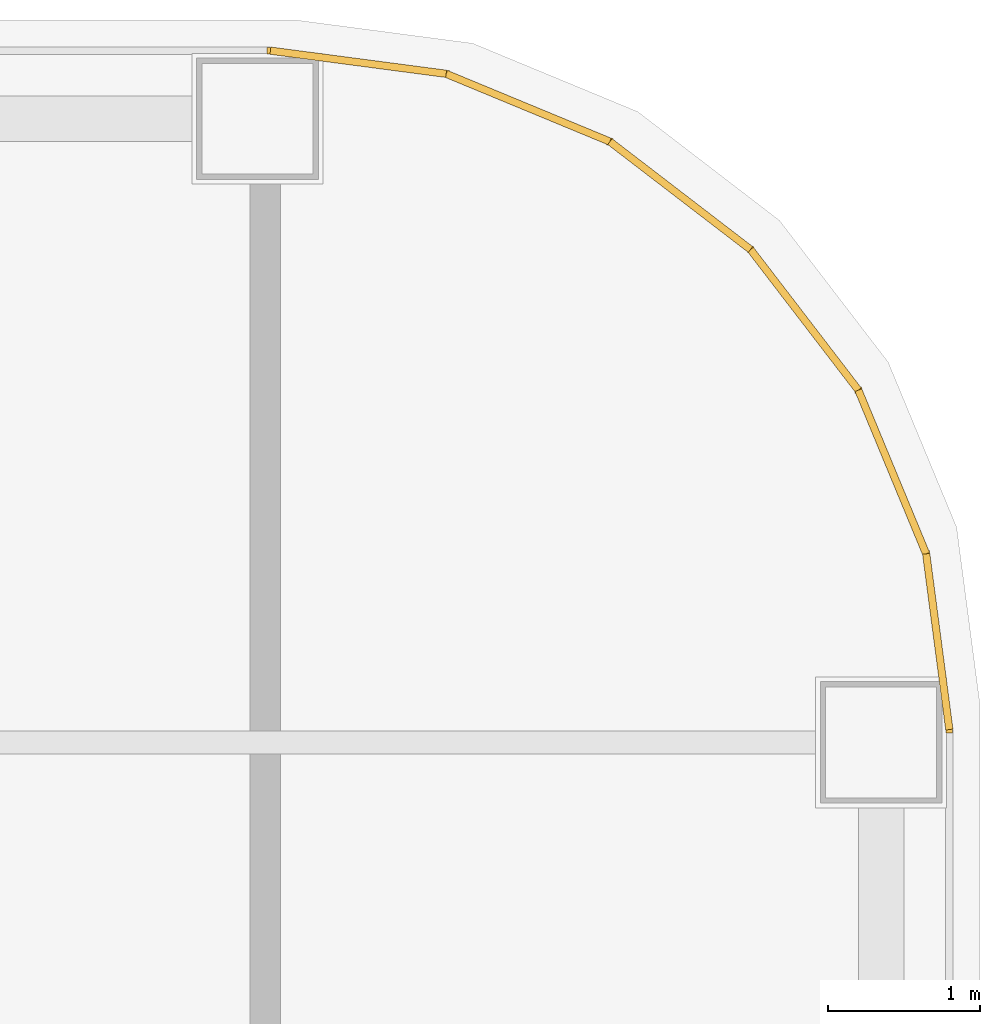
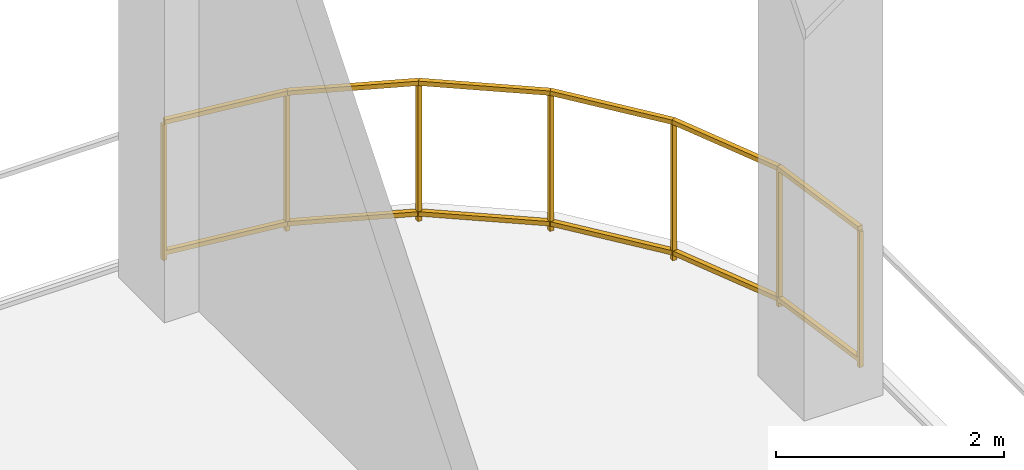
# One storey, part 11 of 11: 6 railings.
"""IFC4 building model written with IfcOpenShell, lengths in metres."""

from ifc_helpers import new_model, si_unit, direction, frame, origin, origin_2d, place, context, subcontext, project, spatial, rectangle, extrude, material, type_object, element, save


model = new_model("IFC4")

# Units and contexts
model_context = context("Model", 3, precision=1e-05, world=origin(), true_north=direction((0.0, 1.0)))
body_context = subcontext(model_context, "Body", "Model", "MODEL_VIEW")
ifc_project = project(units=[si_unit("LENGTHUNIT", "METRE"), si_unit("AREAUNIT", "SQUARE_METRE"), si_unit("VOLUMEUNIT", "CUBIC_METRE"), si_unit("PLANEANGLEUNIT", "RADIAN"), si_unit("MASSUNIT", "GRAM", prefix="KILO")], contexts=[model_context])

# Site, building, storey
site_placement = place(None, origin())
site = spatial("IfcSite", under=ifc_project, at=site_placement, CompositionType="ELEMENT")
building_placement = place(site_placement, origin())
building = spatial("IfcBuilding", under=site, at=building_placement, Name="Khorvyn Point Tower", CompositionType="ELEMENT")
storey_placement = place(building_placement, frame((0.0, 0.0, 77.39990234375)))
storey = spatial("IfcBuildingStorey", under=building, at=storey_placement, Name="L20", CompositionType="ELEMENT", Elevation=77.39990234375)

# Railings
ifc_material = material(Name="Stainless steel 1.4401", Category="steel")
railing_type = type_object("IfcRailingType", Name="School Terrace Anti-Climb Safety Guardrail 1500", PredefinedType="GUARDRAIL", material=ifc_material)
railing_1_placement = place(storey_placement, frame((22.098388671875, 20.534423828125, 0.0)))
element("IfcRailing", 1, at=railing_1_placement, inside=storey, type_object=railing_type, Name="L20 Open Wind-Floor Perimeter Guardrail 08", PredefinedType="GUARDRAIL", context=body_context, shape_type="SweptSolid", body=[
    extrude(rectangle(XDim=0.048095703125, YDim=0.048095703125, at=origin_2d()), frame((0.0, 0.0, 1.47607421875), z_axis=(-0.130530389761, 0.991444308748, 0.0), x_axis=(-0.991444308748, -0.130530389761, 0.0)), (0.0, 0.0, 1.0), 1.165283203125),
    extrude(rectangle(XDim=0.048095703125, YDim=0.048095703125, at=origin_2d()), frame((0.0, 0.0, 0.080078125), z_axis=(-0.130530389761, 0.991444308748, 0.0), x_axis=(-0.991444308748, -0.130530389761, 0.0)), (0.0, 0.0, 1.0), 1.165283203125),
    extrude(rectangle(XDim=0.0419921875, YDim=0.0419921875, at=origin_2d()), origin(), (0.0, 0.0, 1.0), 1.451904296875),
    extrude(rectangle(XDim=0.0419921875, YDim=0.0419921875, at=origin_2d()), frame((-0.152099609375, 1.1552734375, 0.0)), (0.0, 0.0, 1.0), 1.451904296875),
])
railing_2_placement = place(storey_placement, frame((21.9462890625, 21.689697265625, 0.0)))
element("IfcRailing", 2, at=railing_2_placement, inside=storey, type_object=railing_type, Name="L20 Open Wind-Floor Perimeter Guardrail 09", PredefinedType="GUARDRAIL", context=body_context, shape_type="SweptSolid", body=[
    extrude(rectangle(XDim=0.048095703125, YDim=0.048095703125, at=origin_2d()), frame((0.0, 0.0, 1.47607421875), z_axis=(-0.38274032778, 0.923855963606, 0.0), x_axis=(-0.923855963606, -0.38274032778, 0.0)), (0.0, 0.0, 1.0), 1.165283203125),
    extrude(rectangle(XDim=0.048095703125, YDim=0.048095703125, at=origin_2d()), frame((0.0, 0.0, 0.080078125), z_axis=(-0.38274032778, 0.923855963606, 0.0), x_axis=(-0.923855963606, -0.38274032778, 0.0)), (0.0, 0.0, 1.0), 1.165283203125),
    extrude(rectangle(XDim=0.0419921875, YDim=0.0419921875, at=origin_2d()), origin(), (0.0, 0.0, 1.0), 1.451904296875),
    extrude(rectangle(XDim=0.0419921875, YDim=0.0419921875, at=origin_2d()), frame((-0.446044921875, 1.07666015625, 0.0)), (0.0, 0.0, 1.0), 1.451904296875),
])
railing_3_placement = place(storey_placement, frame((21.500244140625, 22.766357421875, 0.0)))
element("IfcRailing", 3, at=railing_3_placement, inside=storey, type_object=railing_type, Name="L20 Open Wind-Floor Perimeter Guardrail 10", PredefinedType="GUARDRAIL", context=body_context, shape_type="SweptSolid", body=[
    extrude(rectangle(XDim=0.048095703125, YDim=0.048095703125, at=origin_2d()), frame((0.0, 0.0, 1.47607421875), z_axis=(-0.608647049612, 0.793441093591, 0.0), x_axis=(-0.793441093591, -0.608647049612, 0.0)), (0.0, 0.0, 1.0), 1.165283203125),
    extrude(rectangle(XDim=0.048095703125, YDim=0.048095703125, at=origin_2d()), frame((0.0, 0.0, 0.080078125), z_axis=(-0.608647049612, 0.793441093591, 0.0), x_axis=(-0.793441093591, -0.608647049612, 0.0)), (0.0, 0.0, 1.0), 1.165283203125),
    extrude(rectangle(XDim=0.0419921875, YDim=0.0419921875, at=origin_2d()), origin(), (0.0, 0.0, 1.0), 1.451904296875),
    extrude(rectangle(XDim=0.0419921875, YDim=0.0419921875, at=origin_2d()), frame((-0.709228515625, 0.924560546875, 0.0)), (0.0, 0.0, 1.0), 1.451904296875),
])
railing_4_placement = place(storey_placement, frame((20.791015625, 23.69091796875, 0.0)))
element("IfcRailing", 4, at=railing_4_placement, inside=storey, type_object=railing_type, Name="L20 Open Wind-Floor Perimeter Guardrail 11", PredefinedType="GUARDRAIL", context=body_context, shape_type="SweptSolid", body=[
    extrude(rectangle(XDim=0.048095703125, YDim=0.048095703125, at=origin_2d()), frame((0.0, 0.0, 1.47607421875), z_axis=(-0.793339914386, 0.608778925589, 0.0), x_axis=(-0.608778925589, -0.793339914386, 0.0)), (0.0, 0.0, 1.0), 1.165283203125),
    extrude(rectangle(XDim=0.048095703125, YDim=0.048095703125, at=origin_2d()), frame((0.0, 0.0, 0.080078125), z_axis=(-0.793339914386, 0.608778925589, 0.0), x_axis=(-0.608778925589, -0.793339914386, 0.0)), (0.0, 0.0, 1.0), 1.165283203125),
    extrude(rectangle(XDim=0.0419921875, YDim=0.0419921875, at=origin_2d()), origin(), (0.0, 0.0, 1.0), 1.451904296875),
    extrude(rectangle(XDim=0.0419921875, YDim=0.0419921875, at=origin_2d()), frame((-0.924560546875, 0.70947265625, 0.0)), (0.0, 0.0, 1.0), 1.451904296875),
])
railing_5_placement = place(storey_placement, frame((19.866455078125, 24.400390625, 0.0)))
element("IfcRailing", 5, at=railing_5_placement, inside=storey, type_object=railing_type, Name="L20 Open Wind-Floor Perimeter Guardrail 12", PredefinedType="GUARDRAIL", context=body_context, shape_type="SweptSolid", body=[
    extrude(rectangle(XDim=0.048095703125, YDim=0.048095703125, at=origin_2d()), frame((0.0, 0.0, 1.47607421875), z_axis=(-0.923930027667, 0.382561503519, 0.0), x_axis=(-0.382561503519, -0.923930027667, 0.0)), (0.0, 0.0, 1.0), 1.165283203125),
    extrude(rectangle(XDim=0.048095703125, YDim=0.048095703125, at=origin_2d()), frame((0.0, 0.0, 0.080078125), z_axis=(-0.923930027667, 0.382561503519, 0.0), x_axis=(-0.382561503519, -0.923930027667, 0.0)), (0.0, 0.0, 1.0), 1.165283203125),
    extrude(rectangle(XDim=0.0419921875, YDim=0.0419921875, at=origin_2d()), origin(), (0.0, 0.0, 1.0), 1.451904296875),
    extrude(rectangle(XDim=0.0419921875, YDim=0.0419921875, at=origin_2d()), frame((-1.07666015625, 0.44580078125, 0.0)), (0.0, 0.0, 1.0), 1.451904296875),
])
railing_6_placement = place(storey_placement, frame((18.789794921875, 24.84619140625, 0.0)))
element("IfcRailing", 6, at=railing_6_placement, inside=storey, type_object=railing_type, Name="L20 Open Wind-Floor Perimeter Guardrail 13", PredefinedType="GUARDRAIL", context=body_context, shape_type="SweptSolid", body=[
    extrude(rectangle(XDim=0.048095703125, YDim=0.048095703125, at=origin_2d()), frame((0.0, 0.0, 1.47607421875), z_axis=(-0.991444308748, 0.130530389761, 0.0), x_axis=(-0.130530389761, -0.991444308748, 0.0)), (0.0, 0.0, 1.0), 1.165283203125),
    extrude(rectangle(XDim=0.048095703125, YDim=0.048095703125, at=origin_2d()), frame((0.0, 0.0, 0.080078125), z_axis=(-0.991444308748, 0.130530389761, 0.0), x_axis=(-0.130530389761, -0.991444308748, 0.0)), (0.0, 0.0, 1.0), 1.165283203125),
    extrude(rectangle(XDim=0.0419921875, YDim=0.0419921875, at=origin_2d()), origin(), (0.0, 0.0, 1.0), 1.451904296875),
    extrude(rectangle(XDim=0.0419921875, YDim=0.0419921875, at=origin_2d()), frame((-1.1552734375, 0.152099609375, 0.0)), (0.0, 0.0, 1.0), 1.451904296875),
])

save(model, "model.ifc")
